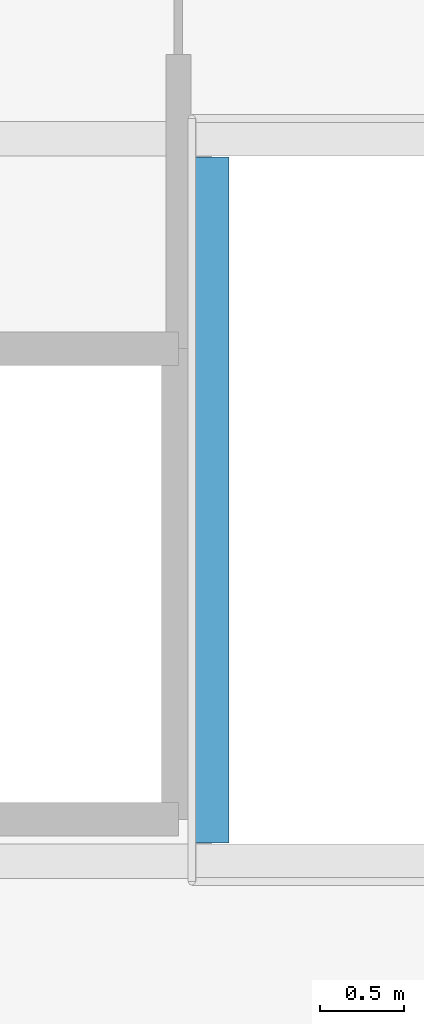
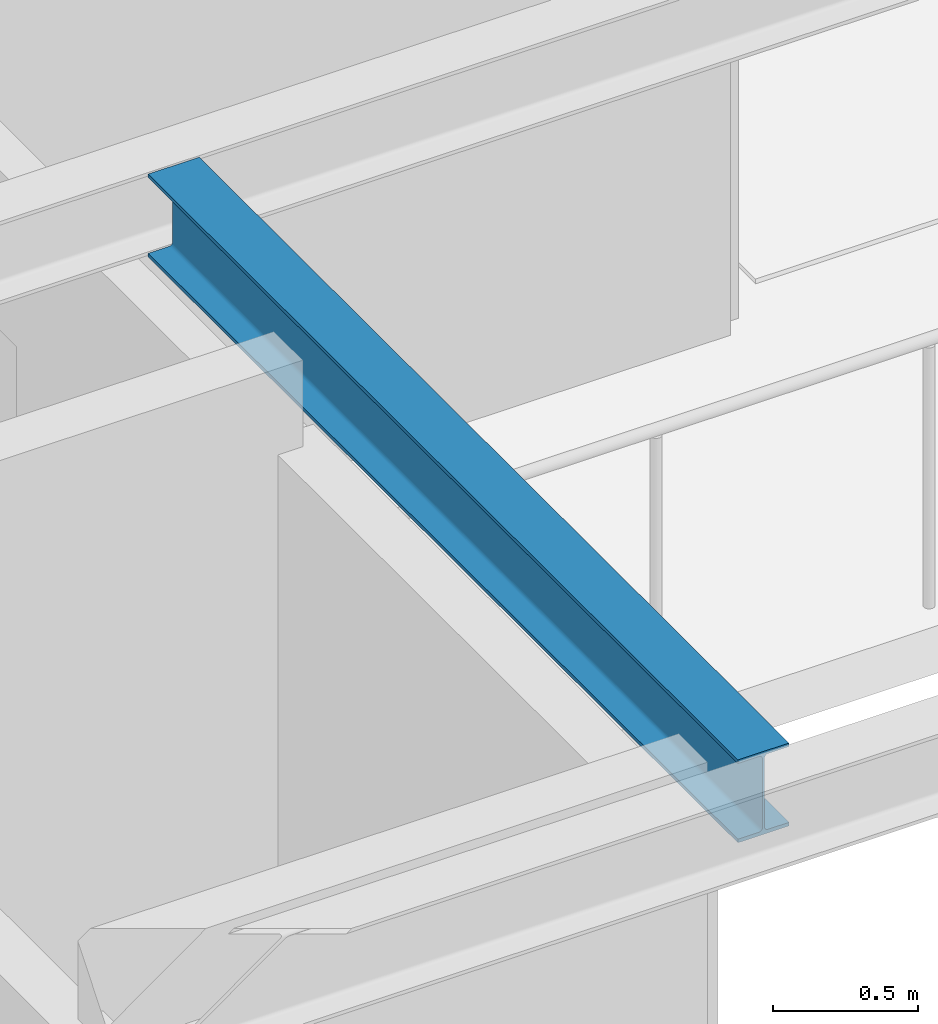
# One storey, part 10 of 31: 1 beam.
"""IFC4 building model written with IfcOpenShell, lengths in metres."""

import ifcopenshell
import ifcopenshell.guid

model = None  # the IFC model being written
_history = None  # IfcOwnerHistory: only IFC2X3 demands one
_inside = {}  # id of a spatial element -> (the spatial element, [elements in it])
_under = {}  # id of a project, library or spatial element -> (it, [spatial elements below it])
_declared = {}  # id of a project -> (the project, [libraries it declares])
_typed = {}  # id of a type object -> (the type object, [elements of that type])
_made_of = {}  # id of a material, layer set ... -> (it, [elements and type objects made of it])


def new_model(schema):
    """Start an empty IFC model of exactly this schema.

    Asked for "IFC4X3", IfcOpenShell would pick the latest addendum, in which some entities
    have other attributes; the version numbers below select the first issue.
    IFC2X3 requires an IfcOwnerHistory on every rooted entity: one is made here for all.
    """
    global model, _history
    if schema == "IFC4X3":
        model = ifcopenshell.file(schema_version=(4, 3, 0, 0))
    else:
        model = ifcopenshell.file(schema=schema)
    _inside.clear()
    _under.clear()
    _declared.clear()
    _typed.clear()
    _made_of.clear()
    _history = None
    if model.schema == "IFC2X3":
        org = make("IfcOrganization", Name="unknown")
        user = make(
            "IfcPersonAndOrganization",
            ThePerson=make("IfcPerson", FamilyName="unknown"),
            TheOrganization=org,
        )
        app = make(
            "IfcApplication",
            ApplicationDeveloper=org,
            Version="unknown",
            ApplicationFullName="unknown",
            ApplicationIdentifier="unknown",
        )
        _history = make(
            "IfcOwnerHistory",
            OwningUser=user,
            OwningApplication=app,
            ChangeAction="ADDED",
            CreationDate=0,
        )
    return model


def make(cls, **values):
    """One entity of the class cls with the attributes given. An attribute that is None is left unset."""
    return model.create_entity(
        cls, **{name: value for name, value in values.items() if value is not None}
    )


def rooted(cls, **values):
    """An entity with a GlobalId (a new one), such as an element, a storey or a relation."""
    return make(cls, GlobalId=ifcopenshell.guid.new(), OwnerHistory=_history, **values)


def si_unit(unit_type, name, prefix=None):
    """IfcSIUnit, for example si_unit("LENGTHUNIT", "METRE", prefix="MILLI")."""
    return make("IfcSIUnit", UnitType=unit_type, Prefix=prefix, Name=name)


def assignment(units):
    """IfcUnitAssignment: the units of a project."""
    return None if units is None else make("IfcUnitAssignment", Units=units)


def point(xyz):
    """IfcCartesianPoint."""
    return None if xyz is None else make("IfcCartesianPoint", Coordinates=xyz)


def direction(xyz):
    """IfcDirection."""
    return None if xyz is None else make("IfcDirection", DirectionRatios=xyz)


def frame(location, z_axis=None, x_axis=None):
    """IfcAxis2Placement3D, a coordinate frame: its origin and axes. An axis left out is left unset."""
    return make(
        "IfcAxis2Placement3D",
        Location=point(location),
        Axis=direction(z_axis),
        RefDirection=direction(x_axis),
    )


def frame_2d(location, x_axis=None):
    """IfcAxis2Placement2D, a coordinate frame in the plane: its origin and x axis."""
    return make(
        "IfcAxis2Placement2D", Location=point(location), RefDirection=direction(x_axis)
    )


def origin():
    """The frame at (0, 0, 0) with its axes left unset."""
    return frame((0.0, 0.0, 0.0))


def origin_2d():
    """The frame at (0, 0) in the plane with its x axis left unset."""
    return frame_2d((0.0, 0.0))


def place(relative_to, where):
    """IfcLocalPlacement: puts the frame where relative to a parent placement (None: the world)."""
    return make(
        "IfcLocalPlacement", PlacementRelTo=relative_to, RelativePlacement=where
    )


def context(
    kind, dimensions, precision=None, world=None, true_north=None, identifier=None
):
    """IfcGeometricRepresentationContext, for example the 3D "Model" context."""
    return make(
        "IfcGeometricRepresentationContext",
        ContextIdentifier=identifier,
        ContextType=kind,
        CoordinateSpaceDimension=dimensions,
        Precision=precision,
        WorldCoordinateSystem=world,
        TrueNorth=true_north,
    )


def subcontext(parent, identifier, kind, view, scale=None):
    """IfcGeometricRepresentationSubContext, for example "Body" below "Model"."""
    return make(
        "IfcGeometricRepresentationSubContext",
        ContextIdentifier=identifier,
        ContextType=kind,
        ParentContext=parent,
        TargetScale=scale,
        TargetView=view,
    )


def project(units=None, contexts=None):
    """IfcProject with its units and contexts."""
    return rooted(
        "IfcProject",
        Name="project",
        RepresentationContexts=contexts,
        UnitsInContext=assignment(units),
    )


def spatial(cls, under=None, at=None, **own):
    """A site, building, storey or space (cls), placed at a placement, below another one or the project."""
    s = rooted(cls, ObjectPlacement=at, **own)
    if under is not None:
        _under.setdefault(under.id(), (under, []))[1].append(s)
    return s


def profile(cls, at=None, kind="AREA", **sizes):
    """A parametric profile (cls). Its sizes go by their IFC names, for example OverallWidth=200.0."""
    return make(cls, ProfileType=kind, Position=at, **sizes)


def i_section(**sizes):
    """IfcIShapeProfileDef."""
    return profile("IfcIShapeProfileDef", **sizes)


def extrude(swept, where, along, depth):
    """IfcExtrudedAreaSolid: the profile swept, set in the frame where, extruded along a direction by depth."""
    return make(
        "IfcExtrudedAreaSolid",
        SweptArea=swept,
        Position=where,
        ExtrudedDirection=direction(along),
        Depth=depth,
    )


def shape(context_of_items, identifier, shape_type, items):
    """IfcShapeRepresentation: the items that make up one representation, for example the "Body"."""
    return make(
        "IfcShapeRepresentation",
        ContextOfItems=context_of_items,
        RepresentationIdentifier=identifier,
        RepresentationType=shape_type,
        Items=items,
    )


def material(Name=None, Category=None):
    """IfcMaterial."""
    return make("IfcMaterial", Name=Name, Category=Category)


def material_profile(
    of_material, cross_section, Name=None, Category=None, Priority=None
):
    """IfcMaterialProfile: a cross section and its material."""
    return make(
        "IfcMaterialProfile",
        Name=Name,
        Material=of_material,
        Profile=cross_section,
        Priority=Priority,
        Category=Category,
    )


def profile_set(profiles, Name=None, composite=None):
    """IfcMaterialProfileSet."""
    return make(
        "IfcMaterialProfileSet",
        Name=Name,
        MaterialProfiles=profiles,
        CompositeProfile=composite,
    )


def made_of(thing, what):
    """Note that an element or type object is made of a material, layer set ...; save() writes the relation."""
    if what is not None:
        _made_of.setdefault(what.id(), (what, []))[1].append(thing)
    return thing


def type_object(cls, material=None, **own):
    """A type object (cls), such as IfcWallType, which elements share."""
    return made_of(rooted(cls, **own), material)


def element(
    cls,
    number,
    at=None,
    inside=None,
    cuts=None,
    type_object=None,
    material=None,
    context=None,
    identifier="Body",
    shape_type=None,
    held_by="IfcProductDefinitionShape",
    body=None,
    shapes=None,
    **own,
):
    """One element of the class cls, such as IfcWall. Its Tag is "e" and its number.

    at: its placement. inside: the storey or other place that contains it. cuts: it is an
    opening in that element (IfcRelVoidsElement). A single representation is given by context,
    identifier, shape_type and body (its items); several are given by shapes. held_by: the class
    of the entity that holds the representations. save() writes the other relations.
    """
    e = rooted(cls, Tag="e%d" % number, ObjectPlacement=at, **own)
    if body is not None:
        shapes = [shape(context, identifier, shape_type, body)]
    if shapes is not None:
        e.Representation = make(held_by, Representations=shapes)
    if inside is not None:
        _inside.setdefault(inside.id(), (inside, []))[1].append(e)
    if cuts is not None:
        rooted(
            "IfcRelVoidsElement", RelatingBuildingElement=cuts, RelatedOpeningElement=e
        )
    if type_object is not None:
        _typed.setdefault(type_object.id(), (type_object, []))[1].append(e)
    return made_of(e, material)


def aggregate(whole, parts):
    """IfcRelAggregates: a whole, such as a stair, and the parts it consists of."""
    return rooted("IfcRelAggregates", RelatingObject=whole, RelatedObjects=parts)


def save(model, path):
    """Write the relations noted so far, then the file.

    IfcRelAggregates (storeys below a building ...), IfcRelContainedInSpatialStructure (elements
    in a storey), IfcRelDefinesByType, IfcRelAssociatesMaterial and IfcRelDeclares: one each for
    every whole, place, type object, material and project.
    """
    for whole, parts in _under.values():
        aggregate(whole, parts)
    for where, things in _inside.values():
        rooted(
            "IfcRelContainedInSpatialStructure",
            RelatedElements=things,
            RelatingStructure=where,
        )
    for kind, things in _typed.values():
        rooted("IfcRelDefinesByType", RelatedObjects=things, RelatingType=kind)
    for what, things in _made_of.values():
        rooted("IfcRelAssociatesMaterial", RelatedObjects=things, RelatingMaterial=what)
    for by, libraries in _declared.values():
        rooted("IfcRelDeclares", RelatingContext=by, RelatedDefinitions=libraries)
    model.write(path)


model = new_model("IFC4")

# Units and contexts
model_context = context("Model", 3, precision=1e-05, world=origin(), true_north=direction((0.0, 1.0)))
body_context = subcontext(model_context, "Body", "Model", "MODEL_VIEW")
ifc_project = project(units=[si_unit("LENGTHUNIT", "METRE"), si_unit("AREAUNIT", "SQUARE_METRE"), si_unit("VOLUMEUNIT", "CUBIC_METRE"), si_unit("PLANEANGLEUNIT", "RADIAN"), si_unit("MASSUNIT", "GRAM", prefix="KILO")], contexts=[model_context])

# Site, building, storey
site_placement = place(None, origin())
site = spatial("IfcSite", under=ifc_project, at=site_placement, CompositionType="ELEMENT")
building_placement = place(site_placement, origin())
building = spatial("IfcBuilding", under=site, at=building_placement, Name="Kolvaren Belvedere", CompositionType="ELEMENT")
storey_placement = place(building_placement, frame((0.0, 0.0, 131.60009765625)))
storey = spatial("IfcBuildingStorey", under=building, at=storey_placement, Name="L38", CompositionType="ELEMENT", Elevation=131.60009765625)

# Beam
ifc_material = material(Name="Structural steel ASTM A992 Grade 50", Category="steel")
ifc_material_profile = material_profile(ifc_material, i_section(OverallWidth=0.2041015625, OverallDepth=0.35009765625, WebThickness=0.008544921875, FlangeThickness=0.01513671875, FilletRadius=0.013916015625, at=origin_2d()), Name="W14X48")
ifc_profile_set = profile_set([ifc_material_profile], Name="Structural steel ASTM A992 Grade 50")
beam_type = type_object("IfcBeamType", Name="BM-ATRIUM-W14X48", PredefinedType="BEAM", material=ifc_profile_set)
beam_placement = place(storey_placement, frame((-3.14990234375, -1.840087890625, 2.9248046875), z_axis=(0.0, 1.0, 0.0), x_axis=(-1.0, 0.0, 0.0)))
element("IfcBeam", 1, at=beam_placement, inside=storey, type_object=beam_type, Name="L38 Central Atrium West Edge Beam AW", PredefinedType="BEAM", context=body_context, shape_type="SweptSolid", body=[
    extrude(i_section(OverallWidth=0.2041015625, OverallDepth=0.35009765625, WebThickness=0.008544921875, FlangeThickness=0.01513671875, FilletRadius=0.013916015625, at=origin_2d()), origin(), (0.0, 0.0, 1.0), 4.080078125),
])

save(model, "model.ifc")
